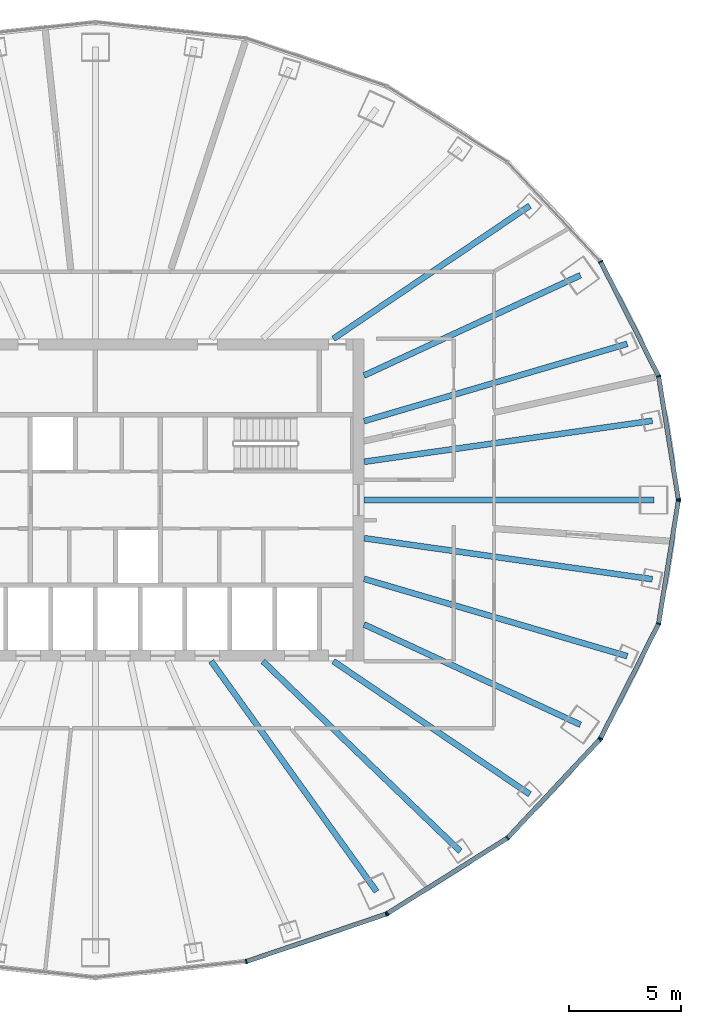
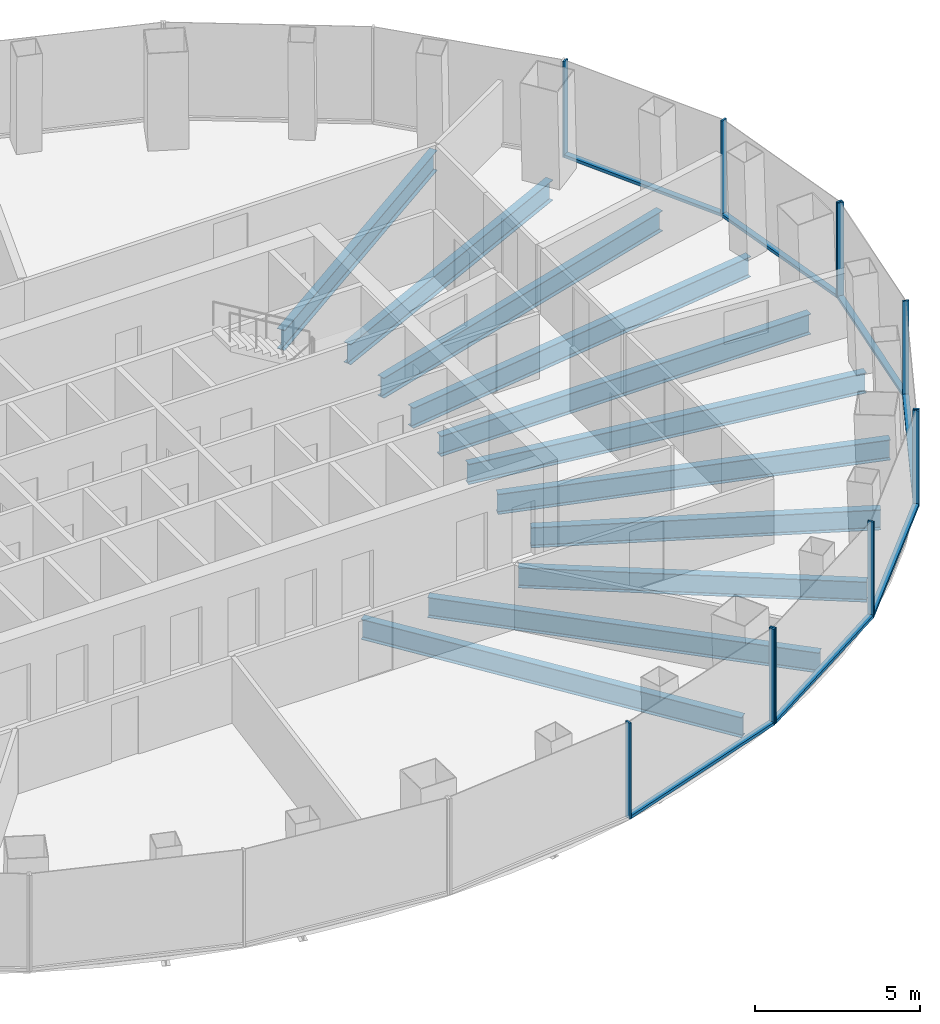
# One storey, part 4 of 12: 18 members, 11 beams, 4 elements without a shape of their own.
"""IFC4 building model written with IfcOpenShell, lengths in metres."""

import ifcopenshell
import ifcopenshell.guid

model = None  # the IFC model being written
_history = None  # IfcOwnerHistory: only IFC2X3 demands one
_inside = {}  # id of a spatial element -> (the spatial element, [elements in it])
_under = {}  # id of a project, library or spatial element -> (it, [spatial elements below it])
_declared = {}  # id of a project -> (the project, [libraries it declares])
_typed = {}  # id of a type object -> (the type object, [elements of that type])
_made_of = {}  # id of a material, layer set ... -> (it, [elements and type objects made of it])


def new_model(schema):
    """Start an empty IFC model of exactly this schema.

    Asked for "IFC4X3", IfcOpenShell would pick the latest addendum, in which some entities
    have other attributes; the version numbers below select the first issue.
    IFC2X3 requires an IfcOwnerHistory on every rooted entity: one is made here for all.
    """
    global model, _history
    if schema == "IFC4X3":
        model = ifcopenshell.file(schema_version=(4, 3, 0, 0))
    else:
        model = ifcopenshell.file(schema=schema)
    _inside.clear()
    _under.clear()
    _declared.clear()
    _typed.clear()
    _made_of.clear()
    _history = None
    if model.schema == "IFC2X3":
        org = make("IfcOrganization", Name="unknown")
        user = make(
            "IfcPersonAndOrganization",
            ThePerson=make("IfcPerson", FamilyName="unknown"),
            TheOrganization=org,
        )
        app = make(
            "IfcApplication",
            ApplicationDeveloper=org,
            Version="unknown",
            ApplicationFullName="unknown",
            ApplicationIdentifier="unknown",
        )
        _history = make(
            "IfcOwnerHistory",
            OwningUser=user,
            OwningApplication=app,
            ChangeAction="ADDED",
            CreationDate=0,
        )
    return model


def make(cls, **values):
    """One entity of the class cls with the attributes given. An attribute that is None is left unset."""
    return model.create_entity(
        cls, **{name: value for name, value in values.items() if value is not None}
    )


def rooted(cls, **values):
    """An entity with a GlobalId (a new one), such as an element, a storey or a relation."""
    return make(cls, GlobalId=ifcopenshell.guid.new(), OwnerHistory=_history, **values)


def si_unit(unit_type, name, prefix=None):
    """IfcSIUnit, for example si_unit("LENGTHUNIT", "METRE", prefix="MILLI")."""
    return make("IfcSIUnit", UnitType=unit_type, Prefix=prefix, Name=name)


def assignment(units):
    """IfcUnitAssignment: the units of a project."""
    return None if units is None else make("IfcUnitAssignment", Units=units)


def point(xyz):
    """IfcCartesianPoint."""
    return None if xyz is None else make("IfcCartesianPoint", Coordinates=xyz)


def direction(xyz):
    """IfcDirection."""
    return None if xyz is None else make("IfcDirection", DirectionRatios=xyz)


def frame(location, z_axis=None, x_axis=None):
    """IfcAxis2Placement3D, a coordinate frame: its origin and axes. An axis left out is left unset."""
    return make(
        "IfcAxis2Placement3D",
        Location=point(location),
        Axis=direction(z_axis),
        RefDirection=direction(x_axis),
    )


def frame_2d(location, x_axis=None):
    """IfcAxis2Placement2D, a coordinate frame in the plane: its origin and x axis."""
    return make(
        "IfcAxis2Placement2D", Location=point(location), RefDirection=direction(x_axis)
    )


def origin():
    """The frame at (0, 0, 0) with its axes left unset."""
    return frame((0.0, 0.0, 0.0))


def origin_2d():
    """The frame at (0, 0) in the plane with its x axis left unset."""
    return frame_2d((0.0, 0.0))


def place(relative_to, where):
    """IfcLocalPlacement: puts the frame where relative to a parent placement (None: the world)."""
    return make(
        "IfcLocalPlacement", PlacementRelTo=relative_to, RelativePlacement=where
    )


def context(
    kind, dimensions, precision=None, world=None, true_north=None, identifier=None
):
    """IfcGeometricRepresentationContext, for example the 3D "Model" context."""
    return make(
        "IfcGeometricRepresentationContext",
        ContextIdentifier=identifier,
        ContextType=kind,
        CoordinateSpaceDimension=dimensions,
        Precision=precision,
        WorldCoordinateSystem=world,
        TrueNorth=true_north,
    )


def subcontext(parent, identifier, kind, view, scale=None):
    """IfcGeometricRepresentationSubContext, for example "Body" below "Model"."""
    return make(
        "IfcGeometricRepresentationSubContext",
        ContextIdentifier=identifier,
        ContextType=kind,
        ParentContext=parent,
        TargetScale=scale,
        TargetView=view,
    )


def project(units=None, contexts=None):
    """IfcProject with its units and contexts."""
    return rooted(
        "IfcProject",
        Name="project",
        RepresentationContexts=contexts,
        UnitsInContext=assignment(units),
    )


def spatial(cls, under=None, at=None, **own):
    """A site, building, storey or space (cls), placed at a placement, below another one or the project."""
    s = rooted(cls, ObjectPlacement=at, **own)
    if under is not None:
        _under.setdefault(under.id(), (under, []))[1].append(s)
    return s


def profile(cls, at=None, kind="AREA", **sizes):
    """A parametric profile (cls). Its sizes go by their IFC names, for example OverallWidth=200.0."""
    return make(cls, ProfileType=kind, Position=at, **sizes)


def rectangle(**sizes):
    """IfcRectangleProfileDef."""
    return profile("IfcRectangleProfileDef", **sizes)


def i_section(**sizes):
    """IfcIShapeProfileDef."""
    return profile("IfcIShapeProfileDef", **sizes)


def extrude(swept, where, along, depth):
    """IfcExtrudedAreaSolid: the profile swept, set in the frame where, extruded along a direction by depth."""
    return make(
        "IfcExtrudedAreaSolid",
        SweptArea=swept,
        Position=where,
        ExtrudedDirection=direction(along),
        Depth=depth,
    )


def shape(context_of_items, identifier, shape_type, items):
    """IfcShapeRepresentation: the items that make up one representation, for example the "Body"."""
    return make(
        "IfcShapeRepresentation",
        ContextOfItems=context_of_items,
        RepresentationIdentifier=identifier,
        RepresentationType=shape_type,
        Items=items,
    )


def material(Name=None, Category=None):
    """IfcMaterial."""
    return make("IfcMaterial", Name=Name, Category=Category)


def layer(
    of_material, thickness, ventilated=None, Name=None, Category=None, Priority=None
):
    """IfcMaterialLayer: one layer of a wall or slab, of a material (None: an air gap)."""
    return make(
        "IfcMaterialLayer",
        Material=of_material,
        LayerThickness=thickness,
        IsVentilated=ventilated,
        Name=Name,
        Category=Category,
        Priority=Priority,
    )


def layer_set(layers, Name=None):
    """IfcMaterialLayerSet."""
    return make("IfcMaterialLayerSet", MaterialLayers=layers, LayerSetName=Name)


def material_profile(
    of_material, cross_section, Name=None, Category=None, Priority=None
):
    """IfcMaterialProfile: a cross section and its material."""
    return make(
        "IfcMaterialProfile",
        Name=Name,
        Material=of_material,
        Profile=cross_section,
        Priority=Priority,
        Category=Category,
    )


def profile_set(profiles, Name=None, composite=None):
    """IfcMaterialProfileSet."""
    return make(
        "IfcMaterialProfileSet",
        Name=Name,
        MaterialProfiles=profiles,
        CompositeProfile=composite,
    )


def made_of(thing, what):
    """Note that an element or type object is made of a material, layer set ...; save() writes the relation."""
    if what is not None:
        _made_of.setdefault(what.id(), (what, []))[1].append(thing)
    return thing


def type_object(cls, material=None, **own):
    """A type object (cls), such as IfcWallType, which elements share."""
    return made_of(rooted(cls, **own), material)


def element(
    cls,
    number,
    at=None,
    inside=None,
    cuts=None,
    type_object=None,
    material=None,
    context=None,
    identifier="Body",
    shape_type=None,
    held_by="IfcProductDefinitionShape",
    body=None,
    shapes=None,
    **own,
):
    """One element of the class cls, such as IfcWall. Its Tag is "e" and its number.

    at: its placement. inside: the storey or other place that contains it. cuts: it is an
    opening in that element (IfcRelVoidsElement). A single representation is given by context,
    identifier, shape_type and body (its items); several are given by shapes. held_by: the class
    of the entity that holds the representations. save() writes the other relations.
    """
    e = rooted(cls, Tag="e%d" % number, ObjectPlacement=at, **own)
    if body is not None:
        shapes = [shape(context, identifier, shape_type, body)]
    if shapes is not None:
        e.Representation = make(held_by, Representations=shapes)
    if inside is not None:
        _inside.setdefault(inside.id(), (inside, []))[1].append(e)
    if cuts is not None:
        rooted(
            "IfcRelVoidsElement", RelatingBuildingElement=cuts, RelatedOpeningElement=e
        )
    if type_object is not None:
        _typed.setdefault(type_object.id(), (type_object, []))[1].append(e)
    return made_of(e, material)


def aggregate(whole, parts):
    """IfcRelAggregates: a whole, such as a stair, and the parts it consists of."""
    return rooted("IfcRelAggregates", RelatingObject=whole, RelatedObjects=parts)


def save(model, path):
    """Write the relations noted so far, then the file.

    IfcRelAggregates (storeys below a building ...), IfcRelContainedInSpatialStructure (elements
    in a storey), IfcRelDefinesByType, IfcRelAssociatesMaterial and IfcRelDeclares: one each for
    every whole, place, type object, material and project.
    """
    for whole, parts in _under.values():
        aggregate(whole, parts)
    for where, things in _inside.values():
        rooted(
            "IfcRelContainedInSpatialStructure",
            RelatedElements=things,
            RelatingStructure=where,
        )
    for kind, things in _typed.values():
        rooted("IfcRelDefinesByType", RelatedObjects=things, RelatingType=kind)
    for what, things in _made_of.values():
        rooted("IfcRelAssociatesMaterial", RelatedObjects=things, RelatingMaterial=what)
    for by, libraries in _declared.values():
        rooted("IfcRelDeclares", RelatingContext=by, RelatedDefinitions=libraries)
    model.write(path)


model = new_model("IFC4")

# Units and contexts
model_context = context("Model", 3, precision=1e-05, world=origin(), true_north=direction((0.0, 1.0)))
body_context = subcontext(model_context, "Body", "Model", "MODEL_VIEW")
ifc_project = project(units=[si_unit("LENGTHUNIT", "METRE"), si_unit("AREAUNIT", "SQUARE_METRE"), si_unit("VOLUMEUNIT", "CUBIC_METRE"), si_unit("PLANEANGLEUNIT", "RADIAN"), si_unit("MASSUNIT", "GRAM", prefix="KILO")], contexts=[model_context])

# Site, building, storey
site_placement = place(None, origin())
site = spatial("IfcSite", under=ifc_project, at=site_placement, CompositionType="ELEMENT")
building_placement = place(site_placement, origin())
building = spatial("IfcBuilding", under=site, at=building_placement, Name="Siaravel Broadcast Tower", CompositionType="ELEMENT")
storey_placement = place(building_placement, frame((0.0, 0.0, 100.800048828125)))
storey = spatial("IfcBuildingStorey", under=building, at=storey_placement, Name="L23", CompositionType="ELEMENT", Elevation=100.800048828125)

# Beams
ifc_material_1 = material(Name="Steel S355", Category="steel")
ifc_material_profile_1 = material_profile(ifc_material_1, i_section(OverallWidth=0.26513671875, OverallDepth=0.75390625, WebThickness=0.0126953125, FlangeThickness=0.017578125, FilletRadius=0.0166015625, at=origin_2d()))
ifc_profile_set_1 = profile_set([ifc_material_profile_1], Name="Steel S355")
beam_type = type_object("IfcBeamType", Name="BM-UB 762x267x147", PredefinedType="BEAM", material=ifc_profile_set_1)
beam_1_placement = place(storey_placement, frame((24.95361328125, 0.0, -0.527099609375), z_axis=(-1.0, 0.0, 0.0), x_axis=(0.0, -1.0, 0.0)))
element("IfcBeam", 1, at=beam_1_placement, inside=storey, type_object=beam_type, Name="Radial beam RB01", PredefinedType="BEAM", context=body_context, shape_type="SweptSolid", body=[
    extrude(i_section(OverallWidth=0.26513671875, OverallDepth=0.75390625, WebThickness=0.0126953125, FlangeThickness=0.017578125, FilletRadius=0.0166015625, at=origin_2d()), origin(), (0.0, 0.0, 1.0), 12.95361328125),
])
beam_2_placement = place(storey_placement, frame((24.87548828125, 3.537353515625, -0.527099609375), z_axis=(-0.990038654, -0.140795819, 0.0), x_axis=(0.140795819, -0.990038654, 0.0)))
element("IfcBeam", 2, at=beam_2_placement, inside=storey, type_object=beam_type, Name="Radial beam RB02", PredefinedType="BEAM", context=body_context, shape_type="SweptSolid", body=[
    extrude(i_section(OverallWidth=0.26513671875, OverallDepth=0.75390625, WebThickness=0.0126953125, FlangeThickness=0.017578125, FilletRadius=0.0166015625, at=origin_2d()), origin(), (0.0, 0.0, 1.0), 13.005126953125),
])
beam_3_placement = place(storey_placement, frame((23.751220703125, 6.97412109375, -0.527099609375), z_axis=(-0.959493642, -0.281730281, 0.0), x_axis=(0.281730281, -0.959493642, 0.0)))
element("IfcBeam", 3, at=beam_3_placement, inside=storey, type_object=beam_type, Name="Radial beam RB03", PredefinedType="BEAM", context=body_context, shape_type="SweptSolid", body=[
    extrude(i_section(OverallWidth=0.26513671875, OverallDepth=0.75390625, WebThickness=0.0126953125, FlangeThickness=0.017578125, FilletRadius=0.0166015625, at=origin_2d()), origin(), (0.0, 0.0, 1.0), 12.247314453125),
])
beam_4_placement = place(storey_placement, frame((21.663818359375, 10.03662109375, -0.527099609375), z_axis=(-0.907348568, -0.420379087, 0.0), x_axis=(0.420379087, -0.907348568, 0.0)))
element("IfcBeam", 4, at=beam_4_placement, inside=storey, type_object=beam_type, Name="Radial beam RB04", PredefinedType="BEAM", context=body_context, shape_type="SweptSolid", body=[
    extrude(i_section(OverallWidth=0.26513671875, OverallDepth=0.75390625, WebThickness=0.0126953125, FlangeThickness=0.017578125, FilletRadius=0.0166015625, at=origin_2d()), origin(), (0.0, 0.0, 1.0), 10.650634765625),
])
beam_5_placement = place(storey_placement, frame((19.3994140625, 13.14501953125, -0.527099609375), z_axis=(-0.827855543, -0.560941352, 0.0), x_axis=(0.560941352, -0.827855543, 0.0)))
element("IfcBeam", 5, at=beam_5_placement, inside=storey, type_object=beam_type, Name="Radial beam RB05", PredefinedType="BEAM", context=body_context, shape_type="SweptSolid", body=[
    extrude(i_section(OverallWidth=0.26513671875, OverallDepth=0.75390625, WebThickness=0.0126953125, FlangeThickness=0.017578125, FilletRadius=0.0166015625, at=origin_2d()), origin(), (0.0, 0.0, 1.0), 10.598388671875),
])
beam_6_placement = place(storey_placement, frame((12.556396484375, -17.4873046875, -0.527099609375), z_axis=(-0.583242335, 0.812298208, 0.0), x_axis=(-0.812298208, -0.583242335, 0.0)))
element("IfcBeam", 6, at=beam_6_placement, inside=storey, type_object=beam_type, Name="Radial beam RB31", PredefinedType="BEAM", context=body_context, shape_type="SweptSolid", body=[
    extrude(i_section(OverallWidth=0.26513671875, OverallDepth=0.75390625, WebThickness=0.0126953125, FlangeThickness=0.017578125, FilletRadius=0.0166015625, at=origin_2d()), origin(), (0.0, 0.0, 1.0), 12.66455078125),
])
beam_7_placement = place(storey_placement, frame((16.293701171875, -15.688720703125, -0.527099609375), z_axis=(-0.720346054, 0.693614852, 0.0), x_axis=(-0.693614852, -0.720346054, 0.0)))
element("IfcBeam", 7, at=beam_7_placement, inside=storey, type_object=beam_type, Name="Radial beam RB32", PredefinedType="BEAM", context=body_context, shape_type="SweptSolid", body=[
    extrude(i_section(OverallWidth=0.26513671875, OverallDepth=0.75390625, WebThickness=0.0126953125, FlangeThickness=0.017578125, FilletRadius=0.0166015625, at=origin_2d()), origin(), (0.0, 0.0, 1.0), 12.238525390625),
])
beam_8_placement = place(storey_placement, frame((19.3994140625, -13.14501953125, -0.527099609375), z_axis=(-0.827855543, 0.560941352, 0.0), x_axis=(-0.560941352, -0.827855543, 0.0)))
element("IfcBeam", 8, at=beam_8_placement, inside=storey, type_object=beam_type, Name="Radial beam RB33", PredefinedType="BEAM", context=body_context, shape_type="SweptSolid", body=[
    extrude(i_section(OverallWidth=0.26513671875, OverallDepth=0.75390625, WebThickness=0.0126953125, FlangeThickness=0.017578125, FilletRadius=0.0166015625, at=origin_2d()), origin(), (0.0, 0.0, 1.0), 10.598388671875),
])
beam_9_placement = place(storey_placement, frame((21.663818359375, -10.03662109375, -0.527099609375), z_axis=(-0.907348568, 0.420379087, 0.0), x_axis=(-0.420379087, -0.907348568, 0.0)))
element("IfcBeam", 9, at=beam_9_placement, inside=storey, type_object=beam_type, Name="Radial beam RB34", PredefinedType="BEAM", context=body_context, shape_type="SweptSolid", body=[
    extrude(i_section(OverallWidth=0.26513671875, OverallDepth=0.75390625, WebThickness=0.0126953125, FlangeThickness=0.017578125, FilletRadius=0.0166015625, at=origin_2d()), origin(), (0.0, 0.0, 1.0), 10.650634765625),
])
beam_10_placement = place(storey_placement, frame((23.751220703125, -6.97412109375, -0.527099609375), z_axis=(-0.959493642, 0.281730281, 0.0), x_axis=(-0.281730281, -0.959493642, 0.0)))
element("IfcBeam", 10, at=beam_10_placement, inside=storey, type_object=beam_type, Name="Radial beam RB35", PredefinedType="BEAM", context=body_context, shape_type="SweptSolid", body=[
    extrude(i_section(OverallWidth=0.26513671875, OverallDepth=0.75390625, WebThickness=0.0126953125, FlangeThickness=0.017578125, FilletRadius=0.0166015625, at=origin_2d()), origin(), (0.0, 0.0, 1.0), 12.247314453125),
])
beam_11_placement = place(storey_placement, frame((24.87548828125, -3.537353515625, -0.527099609375), z_axis=(-0.990038654, 0.140795819, 0.0), x_axis=(-0.140795819, -0.990038654, 0.0)))
element("IfcBeam", 11, at=beam_11_placement, inside=storey, type_object=beam_type, Name="Radial beam RB36", PredefinedType="BEAM", context=body_context, shape_type="SweptSolid", body=[
    extrude(i_section(OverallWidth=0.26513671875, OverallDepth=0.75390625, WebThickness=0.0126953125, FlangeThickness=0.017578125, FilletRadius=0.0166015625, at=origin_2d()), origin(), (0.0, 0.0, 1.0), 13.005126953125),
])

# Curtain wall, members
ifc_material_2 = material(Name="Aluminium 6063-T6", Category="aluminium")
ifc_layer = layer(ifc_material_2, 0.199951171875)
ifc_layer_set = layer_set([ifc_layer], Name="Aluminium 6063-T6")
curtain_wall_type = type_object("IfcCurtainWallType", Name="Unitised curtain wall, zone 2", PredefinedType="NOTDEFINED", material=ifc_layer_set)
curtain_wall_1_placement = place(storey_placement, origin())
curtain_wall_1 = element("IfcCurtainWall", 12, at=curtain_wall_1_placement, inside=storey, type_object=curtain_wall_type, Name="L23 Unitised curtain wall, zone 2 01", PredefinedType="NOTDEFINED")
ifc_material_profile_2 = material_profile(ifc_material_2, rectangle(XDim=0.199951171875, YDim=0.06494140625, at=origin_2d()))
ifc_profile_set_2 = profile_set([ifc_material_profile_2], Name="Aluminium 6063-T6")
member_type_1 = type_object("IfcMemberType", Name="CW-Z2 mullion", PredefinedType="MULLION", material=ifc_profile_set_2)
member_1_placement = place(storey_placement, frame((26.0341796875, 0.031982421875, 0.0), z_axis=(0.0, 0.0, 1.0), x_axis=(-0.987329139, -0.15868576, 0.0)))
member_1 = element("IfcMember", 13, at=member_1_placement, type_object=member_type_1, Name="CW-Z2 mullion 1", PredefinedType="MULLION", context=body_context, shape_type="SweptSolid", body=[
    extrude(rectangle(XDim=0.199951171875, YDim=0.06494140625, at=origin_2d()), origin(), (0.0, 0.0, 1.0), 3.550048828125),
])
member_2_placement = place(storey_placement, frame((25.151611328125, 5.525390625, 0.0), z_axis=(0.0, 0.0, 1.0), x_axis=(-0.951177085, -0.308645676, 0.0)))
member_2 = element("IfcMember", 14, at=member_2_placement, type_object=member_type_1, Name="CW-Z2 mullion 2", PredefinedType="MULLION", context=body_context, shape_type="SweptSolid", body=[
    extrude(rectangle(XDim=0.199951171875, YDim=0.06494140625, at=origin_2d()), origin(), (0.0, 0.0, 1.0), 3.550048828125),
])
member_3_placement = place(storey_placement, frame((22.56298828125, 10.64404296875, 0.0), z_axis=(0.0, 0.0, 1.0), x_axis=(-0.892391822, -0.451261384, 0.0)))
member_3 = element("IfcMember", 15, at=member_3_placement, type_object=member_type_1, Name="CW-Z2 mullion 3", PredefinedType="MULLION", context=body_context, shape_type="SweptSolid", body=[
    extrude(rectangle(XDim=0.199951171875, YDim=0.06494140625, at=origin_2d()), origin(), (0.0, 0.0, 1.0), 3.550048828125),
])

curtain_wall_2_placement = place(storey_placement, origin())
curtain_wall_2 = element("IfcCurtainWall", 16, at=curtain_wall_2_placement, inside=storey, type_object=curtain_wall_type, Name="L23 Unitised curtain wall, zone 2 10", PredefinedType="NOTDEFINED")
member_4_placement = place(storey_placement, frame((6.7373046875, -20.61181640625, 0.0), z_axis=(0.0, 0.0, 1.0), x_axis=(-0.215557941, 0.976491052, 0.0)))
member_4 = element("IfcMember", 17, at=member_4_placement, type_object=member_type_1, Name="CW-Z2 mullion 2", PredefinedType="MULLION", context=body_context, shape_type="SweptSolid", body=[
    extrude(rectangle(XDim=0.199951171875, YDim=0.06494140625, at=origin_2d()), origin(), (0.0, 0.0, 1.0), 3.550048828125),
])
member_5_placement = place(storey_placement, frame((12.9853515625, -18.491943359375, 0.0), z_axis=(0.0, 0.0, 1.0), x_axis=(-0.321300433, 0.946977313, 0.0)))
member_5 = element("IfcMember", 18, at=member_5_placement, type_object=member_type_1, Name="CW-Z2 mullion 3", PredefinedType="MULLION", context=body_context, shape_type="SweptSolid", body=[
    extrude(rectangle(XDim=0.199951171875, YDim=0.06494140625, at=origin_2d()), origin(), (0.0, 0.0, 1.0), 3.550048828125),
])

curtain_wall_3_placement = place(storey_placement, origin())
curtain_wall_3 = element("IfcCurtainWall", 19, at=curtain_wall_3_placement, inside=storey, type_object=curtain_wall_type, Name="L23 Unitised curtain wall, zone 2 11", PredefinedType="NOTDEFINED")
member_6_placement = place(storey_placement, frame((13.043701171875, -18.464111328125, 0.0), z_axis=(0.0, 0.0, 1.0), x_axis=(-0.5321489, 0.846650783, 0.0)))
member_6 = element("IfcMember", 20, at=member_6_placement, type_object=member_type_1, Name="CW-Z2 mullion 1", PredefinedType="MULLION", context=body_context, shape_type="SweptSolid", body=[
    extrude(rectangle(XDim=0.199951171875, YDim=0.06494140625, at=origin_2d()), origin(), (0.0, 0.0, 1.0), 3.550048828125),
])
member_7_placement = place(storey_placement, frame((18.408935546875, -15.091796875, 0.0), z_axis=(0.0, 0.0, 1.0), x_axis=(-0.636218267, 0.771509117, 0.0)))
member_7 = element("IfcMember", 21, at=member_7_placement, type_object=member_type_1, Name="CW-Z2 mullion 2", PredefinedType="MULLION", context=body_context, shape_type="SweptSolid", body=[
    extrude(rectangle(XDim=0.199951171875, YDim=0.06494140625, at=origin_2d()), origin(), (0.0, 0.0, 1.0), 3.550048828125),
])
member_8_placement = place(storey_placement, frame((22.526123046875, -10.69677734375, 0.0), z_axis=(0.0, 0.0, 1.0), x_axis=(-0.729804854, 0.683655524, 0.0)))
member_8 = element("IfcMember", 22, at=member_8_placement, type_object=member_type_1, Name="CW-Z2 mullion 3", PredefinedType="MULLION", context=body_context, shape_type="SweptSolid", body=[
    extrude(rectangle(XDim=0.199951171875, YDim=0.06494140625, at=origin_2d()), origin(), (0.0, 0.0, 1.0), 3.550048828125),
])

curtain_wall_4_placement = place(storey_placement, origin())
curtain_wall_4 = element("IfcCurtainWall", 23, at=curtain_wall_4_placement, inside=storey, type_object=curtain_wall_type, Name="L23 Unitised curtain wall, zone 2 12", PredefinedType="NOTDEFINED")
member_9_placement = place(storey_placement, frame((22.56298828125, -10.64404296875, 0.0), z_axis=(0.0, 0.0, 1.0), x_axis=(-0.892391822, 0.451261384, 0.0)))
member_9 = element("IfcMember", 24, at=member_9_placement, type_object=member_type_1, Name="CW-Z2 mullion 1", PredefinedType="MULLION", context=body_context, shape_type="SweptSolid", body=[
    extrude(rectangle(XDim=0.199951171875, YDim=0.06494140625, at=origin_2d()), origin(), (0.0, 0.0, 1.0), 3.550048828125),
])
member_10_placement = place(storey_placement, frame((25.151611328125, -5.525390625, 0.0), z_axis=(0.0, 0.0, 1.0), x_axis=(-0.951177085, 0.308645676, 0.0)))
member_10 = element("IfcMember", 25, at=member_10_placement, type_object=member_type_1, Name="CW-Z2 mullion 2", PredefinedType="MULLION", context=body_context, shape_type="SweptSolid", body=[
    extrude(rectangle(XDim=0.199951171875, YDim=0.06494140625, at=origin_2d()), origin(), (0.0, 0.0, 1.0), 3.550048828125),
])
member_11_placement = place(storey_placement, frame((26.0341796875, -0.031982421875, 0.0), z_axis=(0.0, 0.0, 1.0), x_axis=(-0.987329139, 0.15868576, 0.0)))
member_11 = element("IfcMember", 26, at=member_11_placement, type_object=member_type_1, Name="CW-Z2 mullion 3", PredefinedType="MULLION", context=body_context, shape_type="SweptSolid", body=[
    extrude(rectangle(XDim=0.199951171875, YDim=0.06494140625, at=origin_2d()), origin(), (0.0, 0.0, 1.0), 3.550048828125),
])

# Member
ifc_material_profile_3 = material_profile(ifc_material_2, rectangle(XDim=0.199951171875, YDim=0.110107421875, at=origin_2d()))
ifc_profile_set_3 = profile_set([ifc_material_profile_3], Name="Aluminium 6063-T6")
member_type_2 = type_object("IfcMemberType", Name="CW-Z2 transom", PredefinedType="USERDEFINED", material=ifc_profile_set_3)
member_12_placement = place(storey_placement, frame((26.029296875, 0.064208984375, 0.054931640625), z_axis=(-0.158722921, 0.987323166, 0.0), x_axis=(-0.987323166, -0.158722921, 0.0)))
member_12 = element("IfcMember", 27, at=member_12_placement, type_object=member_type_2, Name="CW-Z2 transom 1", ObjectType="TRANSOM", PredefinedType="USERDEFINED", context=body_context, shape_type="SweptSolid", body=[
    extrude(rectangle(XDim=0.199951171875, YDim=0.110107421875, at=origin_2d()), origin(), (0.0, 0.0, 1.0), 5.4990234375),
])

member_13_placement = place(storey_placement, frame((25.13671875, 5.554443359375, 0.054931640625), z_axis=(-0.45123882, 0.892403231, 0.0), x_axis=(-0.892403231, -0.45123882, 0.0)))
member_13 = element("IfcMember", 28, at=member_13_placement, type_object=member_type_2, Name="CW-Z2 transom 2", ObjectType="TRANSOM", PredefinedType="USERDEFINED", context=body_context, shape_type="SweptSolid", body=[
    extrude(rectangle(XDim=0.199951171875, YDim=0.110107421875, at=origin_2d()), origin(), (0.0, 0.0, 1.0), 5.670654296875),
])

aggregate(curtain_wall_1, [member_1, member_2, member_3, member_12, member_13])

member_14_placement = place(storey_placement, frame((6.76806640625, -20.601318359375, 0.054931640625), z_axis=(0.946973015, 0.321313101, 0.0), x_axis=(-0.321313101, 0.946973015, 0.0)))
member_14 = element("IfcMember", 29, at=member_14_placement, type_object=member_type_2, Name="CW-Z2 transom 2", ObjectType="TRANSOM", PredefinedType="USERDEFINED", context=body_context, shape_type="SweptSolid", body=[
    extrude(rectangle(XDim=0.199951171875, YDim=0.110107421875, at=origin_2d()), origin(), (0.0, 0.0, 1.0), 6.532958984375),
])

aggregate(curtain_wall_2, [member_4, member_5, member_14])

member_15_placement = place(storey_placement, frame((13.0712890625, -18.44677734375, 0.054931640625), z_axis=(0.846655089, 0.532142049, 0.0), x_axis=(-0.532142049, 0.846655089, 0.0)))
member_15 = element("IfcMember", 30, at=member_15_placement, type_object=member_type_2, Name="CW-Z2 transom 1", ObjectType="TRANSOM", PredefinedType="USERDEFINED", context=body_context, shape_type="SweptSolid", body=[
    extrude(rectangle(XDim=0.199951171875, YDim=0.110107421875, at=origin_2d()), origin(), (0.0, 0.0, 1.0), 6.272216796875),
])

member_16_placement = place(storey_placement, frame((18.431396484375, -15.068115234375, 0.054931640625), z_axis=(0.6836357, 0.729823424, 0.0), x_axis=(-0.729823424, 0.6836357, 0.0)))
member_16 = element("IfcMember", 31, at=member_16_placement, type_object=member_type_2, Name="CW-Z2 transom 2", ObjectType="TRANSOM", PredefinedType="USERDEFINED", context=body_context, shape_type="SweptSolid", body=[
    extrude(rectangle(XDim=0.199951171875, YDim=0.110107421875, at=origin_2d()), origin(), (0.0, 0.0, 1.0), 5.95703125),
])

aggregate(curtain_wall_3, [member_6, member_7, member_8, member_15, member_16])

member_17_placement = place(storey_placement, frame((22.577880859375, -10.614990234375, 0.054931640625), z_axis=(0.45123882, 0.892403231, 0.0), x_axis=(-0.892403231, 0.45123882, 0.0)))
member_17 = element("IfcMember", 32, at=member_17_placement, type_object=member_type_2, Name="CW-Z2 transom 1", ObjectType="TRANSOM", PredefinedType="USERDEFINED", context=body_context, shape_type="SweptSolid", body=[
    extrude(rectangle(XDim=0.199951171875, YDim=0.110107421875, at=origin_2d()), origin(), (0.0, 0.0, 1.0), 5.670654296875),
])

member_18_placement = place(storey_placement, frame((25.156494140625, -5.493408203125, 0.054931640625), z_axis=(0.158722921, 0.987323166, 0.0), x_axis=(-0.987323166, 0.158722921, 0.0)))
member_18 = element("IfcMember", 33, at=member_18_placement, type_object=member_type_2, Name="CW-Z2 transom 2", ObjectType="TRANSOM", PredefinedType="USERDEFINED", context=body_context, shape_type="SweptSolid", body=[
    extrude(rectangle(XDim=0.199951171875, YDim=0.110107421875, at=origin_2d()), origin(), (0.0, 0.0, 1.0), 5.4990234375),
])

aggregate(curtain_wall_4, [member_9, member_10, member_11, member_17, member_18])

save(model, "model.ifc")
